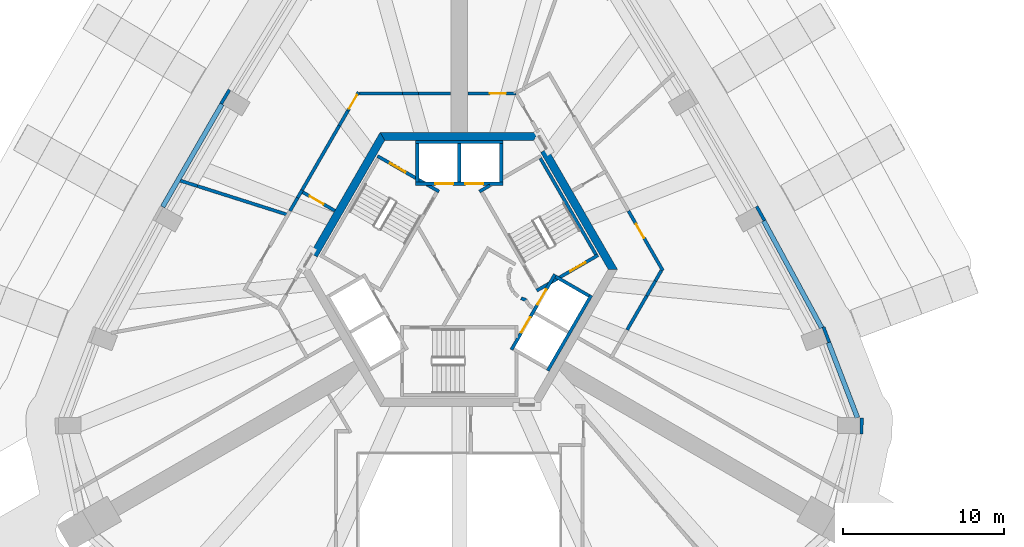
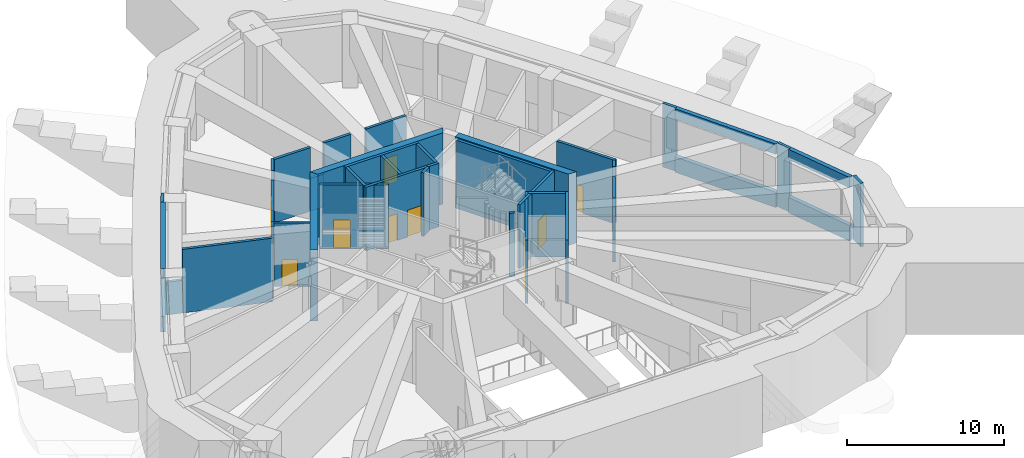
# One storey, part 6 of 15: 42 walls, 10 doors, 10 openings.
"""IFC4 building model written with IfcOpenShell, lengths in metres."""

from ifc_helpers import new_model, si_unit, direction, frame, frame_2d, origin, place, context, subcontext, project, spatial, polyline, rectangle, outline, extrude, material, layer, layer_set, type_object, element, fill, save


model = new_model("IFC4")

# Units and contexts
model_context = context("Model", 3, precision=1e-05, world=origin(), true_north=direction((0.0, 1.0)))
body_context = subcontext(model_context, "Body", "Model", "MODEL_VIEW")
ifc_project = project(units=[si_unit("LENGTHUNIT", "METRE"), si_unit("AREAUNIT", "SQUARE_METRE"), si_unit("VOLUMEUNIT", "CUBIC_METRE"), si_unit("PLANEANGLEUNIT", "RADIAN"), si_unit("MASSUNIT", "GRAM", prefix="KILO")], contexts=[model_context])

# Site, building, storey
site_placement = place(None, origin())
site = spatial("IfcSite", under=ifc_project, at=site_placement, CompositionType="ELEMENT")
building_placement = place(site_placement, origin())
building = spatial("IfcBuilding", under=site, at=building_placement, Name="Entoto Arch Interchange Tower", CompositionType="ELEMENT")
storey_placement = place(building_placement, frame((0.0, 0.0, 326.0)))
storey = spatial("IfcBuildingStorey", under=building, at=storey_placement, Name="L77", CompositionType="ELEMENT", Elevation=326.0)

# Walls
ifc_material_1 = material(Name="Concrete C40/50", Category="concrete")
ifc_layer_1 = layer(ifc_material_1, 0.5)
ifc_layer_set_1 = layer_set([ifc_layer_1], Name="Concrete C40/50")
wall_type_1 = type_object("IfcWallType", Name="Core wall 500 C40/50", PredefinedType="SHEAR", material=ifc_layer_set_1)
wall_1_placement = place(storey_placement, frame((0.0, 0.0, -0.60009765625)))
element("IfcWall", 1, at=wall_1_placement, inside=storey, type_object=wall_type_1, Name="Core wall NE L77", PredefinedType="SHEAR", context=body_context, shape_type="SweptSolid", body=[
    extrude(outline(polyline([(5.486083984375, 9.998046875), (5.052978515625, 9.748046875), (9.238037109375, 2.5), (9.81494140625, 2.5), (5.486083984375, 9.998046875)])), origin(), (0.0, 0.0, 1.0), 5.550048828125),
])
wall_2_placement = place(storey_placement, frame((0.0, 0.0, -0.60009765625)))
element("IfcWall", 2, at=wall_2_placement, inside=storey, type_object=wall_type_1, Name="Core wall N L77", PredefinedType="SHEAR", context=body_context, shape_type="SweptSolid", body=[
    extrude(outline(polyline([(4.906982421875, 11.0), (-4.906982421875, 11.0), (-4.618896484375, 10.5), (4.618896484375, 10.5), (4.906982421875, 11.0)])), origin(), (0.0, 0.0, 1.0), 5.550048828125),
])
wall_3_placement = place(storey_placement, frame((0.0, 0.0, -0.60009765625)))
element("IfcWall", 3, at=wall_3_placement, inside=storey, type_object=wall_type_1, Name="Core wall NW L77", PredefinedType="SHEAR", context=body_context, shape_type="SweptSolid", body=[
    extrude(outline(polyline([(-9.236083984375, 3.501953125), (-8.802978515625, 3.2529296875), (-4.618896484375, 10.5), (-4.906982421875, 11.0), (-9.236083984375, 3.501953125)])), origin(), (0.0, 0.0, 1.0), 5.550048828125),
])

# Wall, openings, doors
ifc_layer_2 = layer(ifc_material_1, 0.199951171875)
ifc_layer_set_2 = layer_set([ifc_layer_2], Name="Concrete C40/50")
wall_type_2 = type_object("IfcWallType", Name="LIFT SHAFT WALL 200", PredefinedType="STANDARD", material=ifc_layer_set_2)
wall_4_placement = place(storey_placement, frame((2.699951171875, 7.800048828125, 0.0), z_axis=(0.0, 0.0, 1.0), x_axis=(-1.0, 0.0, 0.0)))
wall_4 = element("IfcWall", 4, at=wall_4_placement, inside=storey, type_object=wall_type_2, Name="Shaft wall N1 front", PredefinedType="STANDARD", context=body_context, shape_type="SweptSolid", body=[
    extrude(rectangle(XDim=5.39990234375, YDim=0.199951171875, at=frame_2d((2.699951171875, 0.0))), origin(), (0.0, 0.0, 1.0), 4.949951171875),
])
opening_1_placement = place(wall_4_placement, frame((1.22509765625, 0.0, 0.0)))
opening_1 = element("IfcOpeningElement", 5, at=opening_1_placement, cuts=wall_4, Name="Opening LD-HR1-L77", PredefinedType="OPENING", context=body_context, shape_type="SweptSolid", body=[
    extrude(rectangle(XDim=1.10009765625, YDim=2.10009765625, at=frame_2d((0.550048828125, 1.050048828125))), frame((0.0, 0.10986328125, 0.0), z_axis=(0.0, -1.0, 0.0), x_axis=(1.0, 0.0, 0.0)), (0.0, 0.0, 1.0), 0.219970703125),
])
opening_2_placement = place(wall_4_placement, frame((3.074951171875, 0.0, 0.0)))
opening_2 = element("IfcOpeningElement", 6, at=opening_2_placement, cuts=wall_4, Name="Opening LD-HR2-L77", PredefinedType="OPENING", context=body_context, shape_type="SweptSolid", body=[
    extrude(rectangle(XDim=1.10009765625, YDim=2.10009765625, at=frame_2d((0.550048828125, 1.050048828125))), frame((0.0, 0.10986328125, 0.0), z_axis=(0.0, -1.0, 0.0), x_axis=(1.0, 0.0, 0.0)), (0.0, 0.0, 1.0), 0.219970703125),
])
ifc_material_2 = material(Name="Stainless steel 1.4301 panels", Category="steel")
door_type_1 = type_object("IfcDoorType", Name="LIFT LANDING DOOR LD1 1100x2100", OperationType="SLIDING_TO_LEFT", PredefinedType="DOOR", material=ifc_material_2)
door_1_placement = place(opening_1_placement, origin())
door_1 = element("IfcDoor", 7, at=door_1_placement, inside=storey, type_object=door_type_1, Name="Lift landing door HR1 L77", OperationType="SLIDING_TO_LEFT", OverallHeight=2.10009765625, OverallWidth=1.10009765625, PredefinedType="DOOR", context=body_context, shape_type="SweptSolid", body=[
    extrude(rectangle(XDim=1.10009765625, YDim=2.10009765625, at=frame_2d((0.550048828125, 1.050048828125))), frame((0.0, 0.02490234375, 0.0), z_axis=(0.0, -1.0, 0.0), x_axis=(1.0, 0.0, 0.0)), (0.0, 0.0, 1.0), 0.050048828125),
])
fill(opening_1, door_1)
door_2_placement = place(opening_2_placement, origin())
door_2 = element("IfcDoor", 8, at=door_2_placement, inside=storey, type_object=door_type_1, Name="Lift landing door HR2 L77", OperationType="SLIDING_TO_LEFT", OverallHeight=2.10009765625, OverallWidth=1.10009765625, PredefinedType="DOOR", context=body_context, shape_type="SweptSolid", body=[
    extrude(rectangle(XDim=1.10009765625, YDim=2.10009765625, at=frame_2d((0.550048828125, 1.050048828125))), frame((0.0, 0.02490234375, 0.0), z_axis=(0.0, -1.0, 0.0), x_axis=(1.0, 0.0, 0.0)), (0.0, 0.0, 1.0), 0.050048828125),
])
fill(opening_2, door_2)

# Walls
wall_5_placement = place(storey_placement, frame((2.699951171875, 10.39990234375, 0.0), z_axis=(0.0, 0.0, 1.0), x_axis=(-1.0, 0.0, 0.0)))
element("IfcWall", 9, at=wall_5_placement, inside=storey, type_object=wall_type_2, Name="Shaft wall N1 back", PredefinedType="STANDARD", context=body_context, shape_type="SweptSolid", body=[
    extrude(rectangle(XDim=5.39990234375, YDim=0.199951171875, at=frame_2d((2.699951171875, 0.0))), origin(), (0.0, 0.0, 1.0), 4.949951171875),
])
for number, where, z_axis, x_axis, name in (
    (10, (2.60009765625, 7.89990234375, 0.0), (0.0, 0.0, 1.0), (0.0, 1.0, 0.0), "Shaft wall N1 cross 1"),
    (11, (0.0, 7.89990234375, 0.0), (0.0, 0.0, 1.0), (0.0, 1.0, 0.0), "Shaft wall N1 cross 2"),
    (12, (-2.60009765625, 7.89990234375, 0.0), (0.0, 0.0, 1.0), (0.0, 1.0, 0.0), "Shaft wall N1 cross 3"),
):
    element("IfcWall", number, at=place(storey_placement, frame(where, z_axis=z_axis, x_axis=x_axis)), inside=storey, type_object=wall_type_2, Name=name, PredefinedType="STANDARD", context=body_context, shape_type="SweptSolid", body=[
        extrude(rectangle(XDim=2.400146484375, YDim=0.199951171875, at=frame_2d((1.2001953125, 0.0))), origin(), (0.0, 0.0, 1.0), 4.949951171875),
    ])

# Wall, openings, doors
wall_6_placement = place(storey_placement, frame((3.239990234375, -2.488037109375, 0.0), z_axis=(0.0, 0.0, 1.0), x_axis=(0.500034260056, 0.866005622828, 0.0)))
wall_6 = element("IfcWall", 13, at=wall_6_placement, inside=storey, type_object=wall_type_2, Name="Shaft wall SE1 front", PredefinedType="STANDARD", context=body_context, shape_type="SweptSolid", body=[
    extrude(rectangle(XDim=5.3994140625, YDim=0.199951171875, at=frame_2d((2.69970703125, 0.0))), origin(), (0.0, 0.0, 1.0), 4.949951171875),
])
opening_3_placement = place(wall_6_placement, frame((3.22509765625, 0.0, 0.0)))
opening_3 = element("IfcOpeningElement", 14, at=opening_3_placement, cuts=wall_6, Name="Opening LD-HR3-L77", PredefinedType="OPENING", context=body_context, shape_type="SweptSolid", body=[
    extrude(rectangle(XDim=1.10009765625, YDim=2.10009765625, at=frame_2d((0.550048828125, 1.050048828125))), frame((0.0, 0.10986328125, 0.0), z_axis=(0.0, -1.0, 0.0), x_axis=(1.0, 0.0, 0.0)), (0.0, 0.0, 1.0), 0.219970703125),
])
opening_4_placement = place(wall_6_placement, frame((1.22509765625, 0.0, 0.0)))
opening_4 = element("IfcOpeningElement", 15, at=opening_4_placement, cuts=wall_6, Name="Opening LD-FF1-L77", PredefinedType="OPENING", context=body_context, shape_type="SweptSolid", body=[
    extrude(rectangle(XDim=1.10009765625, YDim=2.10009765625, at=frame_2d((0.550048828125, 1.050048828125))), frame((0.0, 0.10986328125, 0.0), z_axis=(0.0, -1.0, 0.0), x_axis=(1.0, 0.0, 0.0)), (0.0, 0.0, 1.0), 0.219970703125),
])
door_3_placement = place(opening_3_placement, origin())
door_3 = element("IfcDoor", 16, at=door_3_placement, inside=storey, type_object=door_type_1, Name="Lift landing door HR3 L77", OperationType="SLIDING_TO_LEFT", OverallHeight=2.10009765625, OverallWidth=1.10009765625, PredefinedType="DOOR", context=body_context, shape_type="SweptSolid", body=[
    extrude(rectangle(XDim=1.10009765625, YDim=2.10009765625, at=frame_2d((0.550048828125, 1.050048828125))), frame((0.0, 0.02490234375, 0.0), z_axis=(0.0, -1.0, 0.0), x_axis=(1.0, 0.0, 0.0)), (0.0, 0.0, 1.0), 0.050048828125),
])
fill(opening_3, door_3)
door_4_placement = place(opening_4_placement, origin())
door_4 = element("IfcDoor", 17, at=door_4_placement, inside=storey, type_object=door_type_1, Name="Lift landing door FF1 L77", OperationType="SLIDING_TO_LEFT", OverallHeight=2.10009765625, OverallWidth=1.10009765625, PredefinedType="DOOR", context=body_context, shape_type="SweptSolid", body=[
    extrude(rectangle(XDim=1.10009765625, YDim=2.10009765625, at=frame_2d((0.550048828125, 1.050048828125))), frame((0.0, 0.02490234375, 0.0), z_axis=(0.0, -1.0, 0.0), x_axis=(1.0, 0.0, 0.0)), (0.0, 0.0, 1.0), 0.050048828125),
])
fill(opening_4, door_4)

# Walls
wall_7_placement = place(storey_placement, frame((5.491943359375, -3.7880859375, 0.0), z_axis=(0.0, 0.0, 1.0), x_axis=(0.500034260056, 0.866005622828, 0.0)))
element("IfcWall", 18, at=wall_7_placement, inside=storey, type_object=wall_type_2, Name="Shaft wall SE1 back", PredefinedType="STANDARD", context=body_context, shape_type="SweptSolid", body=[
    extrude(rectangle(XDim=5.3994140625, YDim=0.199951171875, at=frame_2d((2.69970703125, 0.0))), origin(), (0.0, 0.0, 1.0), 4.949951171875),
])
wall_8_placement = place(storey_placement, frame((5.97705078125, 2.052001953125, 0.0), z_axis=(0.0, 0.0, 1.0), x_axis=(0.865973769406, -0.500089422704, 0.0)))
element("IfcWall", 19, at=wall_8_placement, inside=storey, type_object=wall_type_2, Name="Shaft wall SE1 cross 3", PredefinedType="STANDARD", context=body_context, shape_type="SweptSolid", body=[
    extrude(rectangle(XDim=2.3994140625, YDim=0.199951171875, at=frame_2d((1.19970703125, 0.0))), origin(), (0.0, 0.0, 1.0), 4.949951171875),
])
ifc_material_3 = material(Name="Gypsum board partition on steel studs", Category="steel")
ifc_layer_3 = layer(ifc_material_3, 0.199951171875)
ifc_layer_set_3 = layer_set([ifc_layer_3], Name="Gypsum board partition on steel studs")
wall_type_3 = type_object("IfcWallType", Name="PARTITION 200", PredefinedType="PARTITIONING", material=ifc_layer_set_3)
wall_9_placement = place(storey_placement, frame((3.837890625, 0.701904296875, 0.0), z_axis=(0.0, 0.0, 1.0), x_axis=(0.941035081519, -0.338308993895, 0.0)))
element("IfcWall", 20, at=wall_9_placement, inside=storey, type_object=wall_type_3, Name="wall:L77:p008", PredefinedType="PARTITIONING", context=body_context, shape_type="SweptSolid", body=[
    extrude(rectangle(XDim=0.3369140625, YDim=0.199951171875, at=frame_2d((0.16845703125, 0.0))), origin(), (0.0, 0.0, 1.0), 4.949951171875),
])
wall_10_placement = place(storey_placement, frame((12.535888671875, 2.4130859375, 0.0), z_axis=(0.0, 0.0, 1.0), x_axis=(-0.500060245112, -0.865990618459, 0.0)))
element("IfcWall", 21, at=wall_10_placement, inside=storey, type_object=wall_type_3, Name="wall:L77:p033", PredefinedType="PARTITIONING", context=body_context, shape_type="SweptSolid", body=[
    extrude(rectangle(XDim=0.72998046875, YDim=0.199951171875, at=frame_2d((0.364990234375, 0.0))), origin(), (0.0, 0.0, 1.0), 4.949951171875),
])

# Wall, opening, door
wall_11_placement = place(storey_placement, frame((0.550048828125, 13.39990234375, 0.0), z_axis=(0.0, 0.0, 1.0), x_axis=(1.0, 0.0, 0.0)))
wall_11 = element("IfcWall", 22, at=wall_11_placement, inside=storey, type_object=wall_type_3, Name="wall:L77:p034", PredefinedType="PARTITIONING", context=body_context, shape_type="SweptSolid", body=[
    extrude(rectangle(XDim=2.970947265625, YDim=0.199951171875, at=frame_2d((1.4853515625, 0.0))), origin(), (0.0, 0.0, 1.0), 4.949951171875),
])
opening_5_placement = place(wall_11_placement, frame((1.35009765625, 0.0, 0.0)))
opening_5 = element("IfcOpeningElement", 23, at=opening_5_placement, cuts=wall_11, Name="Opening L77-D09", PredefinedType="OPENING", context=body_context, shape_type="SweptSolid", body=[
    extrude(rectangle(XDim=1.0, YDim=2.10009765625, at=frame_2d((0.5, 1.050048828125))), frame((0.0, 0.10986328125, 0.0), z_axis=(0.0, -1.0, 0.0), x_axis=(1.0, 0.0, 0.0)), (0.0, 0.0, 1.0), 0.219970703125),
])
ifc_material_4 = material(Name="Fire-rated Steel S235 door and frame", Category="steel")
door_type_2 = type_object("IfcDoorType", Name="DOOR FD-10 1000x2100", OperationType="SINGLE_SWING_LEFT", PredefinedType="DOOR", material=ifc_material_4)
door_5_placement = place(opening_5_placement, origin())
door_5 = element("IfcDoor", 24, at=door_5_placement, inside=storey, type_object=door_type_2, Name="door:L77:09", OperationType="SINGLE_SWING_LEFT", OverallHeight=2.10009765625, OverallWidth=1.0, PredefinedType="DOOR", context=body_context, shape_type="SweptSolid", body=[
    extrude(rectangle(XDim=1.0, YDim=2.10009765625, at=frame_2d((0.5, 1.050048828125))), frame((0.0, 0.02490234375, 0.0), z_axis=(0.0, -1.0, 0.0), x_axis=(1.0, 0.0, 0.0)), (0.0, 0.0, 1.0), 0.050048828125),
])
fill(opening_5, door_5)

wall_12_placement = place(storey_placement, frame((-9.7958984375, 7.33203125, 0.0), z_axis=(0.0, 0.0, 1.0), x_axis=(0.865973769406, -0.500089422704, 0.0)))
wall_12 = element("IfcWall", 25, at=wall_12_placement, inside=storey, type_object=wall_type_3, Name="wall:L77:p038", PredefinedType="PARTITIONING", context=body_context, shape_type="SweptSolid", body=[
    extrude(rectangle(XDim=2.3994140625, YDim=0.199951171875, at=frame_2d((1.19970703125, 0.0))), origin(), (0.0, 0.0, 1.0), 4.949951171875),
])
opening_6_placement = place(wall_12_placement, frame((0.60009765625, 0.0, 0.0)))
opening_6 = element("IfcOpeningElement", 26, at=opening_6_placement, cuts=wall_12, Name="Opening L77-D10", PredefinedType="OPENING", context=body_context, shape_type="SweptSolid", body=[
    extrude(rectangle(XDim=1.0, YDim=2.10009765625, at=frame_2d((0.5, 1.050048828125))), frame((0.0, 0.10986328125, 0.0), z_axis=(0.0, -1.0, 0.0), x_axis=(1.0, 0.0, 0.0)), (0.0, 0.0, 1.0), 0.219970703125),
])
door_6_placement = place(opening_6_placement, origin())
door_6 = element("IfcDoor", 27, at=door_6_placement, inside=storey, type_object=door_type_2, Name="door:L77:10", OperationType="SINGLE_SWING_LEFT", OverallHeight=2.10009765625, OverallWidth=1.0, PredefinedType="DOOR", context=body_context, shape_type="SweptSolid", body=[
    extrude(rectangle(XDim=1.0, YDim=2.10009765625, at=frame_2d((0.5, 1.050048828125))), frame((0.0, 0.02490234375, 0.0), z_axis=(0.0, -1.0, 0.0), x_axis=(1.0, 0.0, 0.0)), (0.0, 0.0, 1.0), 0.050048828125),
])
fill(opening_6, door_6)

wall_13_placement = place(storey_placement, frame((-6.242919921875, 13.487060546875, 0.0), z_axis=(0.0, 0.0, 1.0), x_axis=(-0.500026415507, -0.866010152247, 0.0)))
wall_13 = element("IfcWall", 28, at=wall_13_placement, inside=storey, type_object=wall_type_3, Name="wall:L77:p043", PredefinedType="PARTITIONING", context=body_context, shape_type="SweptSolid", body=[
    extrude(rectangle(XDim=1.34423828125, YDim=0.199951171875, at=frame_2d((0.672119140625, 0.0))), origin(), (0.0, 0.0, 1.0), 4.949951171875),
])
opening_7_placement = place(wall_13_placement, frame((0.18701171875, 0.0, 0.0)))
opening_7 = element("IfcOpeningElement", 29, at=opening_7_placement, cuts=wall_13, Name="Opening L77-D13", PredefinedType="OPENING", context=body_context, shape_type="SweptSolid", body=[
    extrude(rectangle(XDim=1.0, YDim=2.10009765625, at=frame_2d((0.5, 1.050048828125))), frame((0.0, 0.10986328125, 0.0), z_axis=(0.0, -1.0, 0.0), x_axis=(1.0, 0.0, 0.0)), (0.0, 0.0, 1.0), 0.219970703125),
])
door_7_placement = place(opening_7_placement, origin())
door_7 = element("IfcDoor", 30, at=door_7_placement, inside=storey, type_object=door_type_2, Name="door:L77:13", OperationType="SINGLE_SWING_RIGHT", OverallHeight=2.10009765625, OverallWidth=1.0, PredefinedType="DOOR", context=body_context, shape_type="SweptSolid", body=[
    extrude(rectangle(XDim=1.0, YDim=2.10009765625, at=frame_2d((0.5, 1.050048828125))), frame((0.0, 0.02490234375, 0.0), z_axis=(0.0, -1.0, 0.0), x_axis=(1.0, 0.0, 0.0)), (0.0, 0.0, 1.0), 0.050048828125),
])
fill(opening_7, door_7)

# Walls
wall_14_placement = place(storey_placement, frame((-6.193115234375, 13.39990234375, 0.0), z_axis=(0.0, 0.0, 1.0), x_axis=(1.0, 0.0, 0.0)))
element("IfcWall", 31, at=wall_14_placement, inside=storey, type_object=wall_type_3, Name="wall:L77:p044", PredefinedType="PARTITIONING", context=body_context, shape_type="SweptSolid", body=[
    extrude(rectangle(XDim=2.670166015625, YDim=0.199951171875, at=frame_2d((1.3349609375, 0.0))), origin(), (0.0, 0.0, 1.0), 4.949951171875),
])
wall_15_placement = place(storey_placement, frame((-17.2900390625, 7.9951171875, 0.0), z_axis=(0.0, 0.0, 1.0), x_axis=(0.953042685806, -0.302835993621, 0.0)))
element("IfcWall", 32, at=wall_15_placement, inside=storey, type_object=wall_type_3, Name="wall:L77:p046", PredefinedType="PARTITIONING", context=body_context, shape_type="SweptSolid", body=[
    extrude(rectangle(XDim=1.096435546875, YDim=0.199951171875, at=frame_2d((0.54833984375, 0.0))), origin(), (0.0, 0.0, 1.0), 2.550048828125),
])

# Wall, opening, door
wall_16_placement = place(storey_placement, frame((10.4970703125, 6.118896484375, 0.0), z_axis=(0.0, 0.0, 1.0), x_axis=(0.499888743268, -0.866089628361, 0.0)))
wall_16 = element("IfcWall", 33, at=wall_16_placement, inside=storey, type_object=wall_type_3, Name="wall:L77:p032", PredefinedType="PARTITIONING", context=body_context, shape_type="SweptSolid", body=[
    extrude(rectangle(XDim=4.27880859375, YDim=0.199951171875, at=frame_2d((2.139404296875, 0.0))), origin(), (0.0, 0.0, 1.0), 4.949951171875),
])
opening_8_placement = place(wall_16_placement, frame((0.94091796875, 0.0, 0.0)))
opening_8 = element("IfcOpeningElement", 34, at=opening_8_placement, cuts=wall_16, Name="Opening L77-D08", PredefinedType="OPENING", context=body_context, shape_type="SweptSolid", body=[
    extrude(rectangle(XDim=1.0, YDim=2.10009765625, at=frame_2d((0.5, 1.050048828125))), frame((0.0, 0.10986328125, 0.0), z_axis=(0.0, -1.0, 0.0), x_axis=(1.0, 0.0, 0.0)), (0.0, 0.0, 1.0), 0.219970703125),
])
door_8_placement = place(opening_8_placement, origin())
door_8 = element("IfcDoor", 35, at=door_8_placement, inside=storey, type_object=door_type_2, Name="door:L77:08", OperationType="SINGLE_SWING_RIGHT", OverallHeight=2.10009765625, OverallWidth=1.0, PredefinedType="DOOR", context=body_context, shape_type="SweptSolid", body=[
    extrude(rectangle(XDim=1.0, YDim=2.10009765625, at=frame_2d((0.5, 1.050048828125))), frame((0.0, 0.02490234375, 0.0), z_axis=(0.0, -1.0, 0.0), x_axis=(1.0, 0.0, 0.0)), (0.0, 0.0, 1.0), 0.050048828125),
])
fill(opening_8, door_8)

# Walls
wall_17_placement = place(storey_placement, frame((12.1708984375, 1.781005859375, 0.0), z_axis=(0.0, 0.0, 1.0), x_axis=(-0.499670186534, -0.86621573796, 0.0)))
element("IfcWall", 36, at=wall_17_placement, inside=storey, type_object=wall_type_3, Name="wall:L77:p033", PredefinedType="PARTITIONING", context=body_context, shape_type="SweptSolid", body=[
    extrude(rectangle(XDim=1.078369140625, YDim=0.199951171875, at=frame_2d((0.5390625, 0.0))), origin(), (0.0, 0.0, 1.0), 2.550048828125),
])
wall_18_placement = place(storey_placement, frame((11.632080078125, 0.846923828125, 0.0), z_axis=(0.0, 0.0, 1.0), x_axis=(-0.500105155565, -0.865964683678, 0.0)))
element("IfcWall", 37, at=wall_18_placement, inside=storey, type_object=wall_type_3, Name="wall:L77:p033", PredefinedType="PARTITIONING", context=body_context, shape_type="SweptSolid", body=[
    extrude(rectangle(XDim=2.4296875, YDim=0.199951171875, at=frame_2d((1.21484375, 0.0))), origin(), (0.0, 0.0, 1.0), 4.949951171875),
])
wall_19_placement = place(storey_placement, frame((-10.4970703125, 6.118896484375, 0.0), z_axis=(0.0, 0.0, 1.0), x_axis=(0.499909789979, 0.8660774803, 0.0)))
element("IfcWall", 38, at=wall_19_placement, inside=storey, type_object=wall_type_3, Name="wall:L77:p041", PredefinedType="PARTITIONING", context=body_context, shape_type="SweptSolid", body=[
    extrude(rectangle(XDim=0.940185546875, YDim=0.199951171875, at=frame_2d((0.47021484375, 0.0))), origin(), (0.0, 0.0, 1.0), 2.550048828125),
])
wall_20_placement = place(storey_placement, frame((-10.027099609375, 6.93310546875, 0.0), z_axis=(0.0, 0.0, 1.0), x_axis=(0.500676140182, 0.865634681983, 0.0)))
element("IfcWall", 39, at=wall_20_placement, inside=storey, type_object=wall_type_3, Name="wall:L77:p041", PredefinedType="PARTITIONING", context=body_context, shape_type="SweptSolid", body=[
    extrude(rectangle(XDim=0.561279296875, YDim=0.199951171875, at=frame_2d((0.28076171875, 0.0))), origin(), (0.0, 0.0, 1.0), 4.949951171875),
])
wall_21_placement = place(storey_placement, frame((-6.9150390625, 12.322998046875, 0.0), z_axis=(0.0, 0.0, 1.0), x_axis=(-0.500135319504, -0.865947262935, 0.0)))
element("IfcWall", 40, at=wall_21_placement, inside=storey, type_object=wall_type_3, Name="wall:L77:p043", PredefinedType="PARTITIONING", context=body_context, shape_type="SweptSolid", body=[
    extrude(rectangle(XDim=1.057861328125, YDim=0.199951171875, at=frame_2d((0.52880859375, 0.0))), origin(), (0.0, 0.0, 1.0), 2.550048828125),
])
wall_22_placement = place(storey_placement, frame((-7.444091796875, 11.406982421875, 0.0), z_axis=(0.0, 0.0, 1.0), x_axis=(-0.499919806806, -0.866071698396, 0.0)))
element("IfcWall", 41, at=wall_22_placement, inside=storey, type_object=wall_type_3, Name="wall:L77:p043", PredefinedType="PARTITIONING", context=body_context, shape_type="SweptSolid", body=[
    extrude(rectangle(XDim=4.604736328125, YDim=0.199951171875, at=frame_2d((2.30224609375, 0.0))), origin(), (0.0, 0.0, 1.0), 4.949951171875),
])
wall_23_placement = place(storey_placement, frame((-3.52294921875, 13.39990234375, 0.0), z_axis=(0.0, 0.0, 1.0), x_axis=(1.0, 0.0, 0.0)))
element("IfcWall", 42, at=wall_23_placement, inside=storey, type_object=wall_type_3, Name="wall:L77:p044", PredefinedType="PARTITIONING", context=body_context, shape_type="SweptSolid", body=[
    extrude(rectangle(XDim=0.989990234375, YDim=0.199951171875, at=frame_2d((0.4951171875, 0.0))), origin(), (0.0, 0.0, 1.0), 2.550048828125),
])
wall_24_placement = place(storey_placement, frame((-2.532958984375, 13.39990234375, 0.0), z_axis=(0.0, 0.0, 1.0), x_axis=(1.0, 0.0, 0.0)))
element("IfcWall", 43, at=wall_24_placement, inside=storey, type_object=wall_type_3, Name="wall:L77:p044", PredefinedType="PARTITIONING", context=body_context, shape_type="SweptSolid", body=[
    extrude(rectangle(XDim=1.98291015625, YDim=0.199951171875, at=frame_2d((0.991455078125, 0.0))), origin(), (0.0, 0.0, 1.0), 4.949951171875),
])
wall_25_placement = place(storey_placement, frame((-16.2451171875, 7.6630859375, 0.0), z_axis=(0.0, 0.0, 1.0), x_axis=(0.953015609999, -0.302921189583, 0.0)))
element("IfcWall", 44, at=wall_25_placement, inside=storey, type_object=wall_type_3, Name="wall:L77:p046", PredefinedType="PARTITIONING", context=body_context, shape_type="SweptSolid", body=[
    extrude(rectangle(XDim=5.88671875, YDim=0.199951171875, at=frame_2d((2.943359375, 0.0))), origin(), (0.0, 0.0, 1.0), 4.949951171875),
])
ifc_material_5 = material(Name="Board-marked precast concrete C50/60", Category="concrete")
ifc_layer_4 = layer(ifc_material_5, 0.199951171875)
ifc_layer_set_4 = layer_set([ifc_layer_4], Name="Board-marked precast concrete C50/60")
wall_type_4 = type_object("IfcWallType", Name="PRECAST FRAME WALL 200", PredefinedType="STANDARD", material=ifc_layer_set_4)
wall_26_placement = place(storey_placement, frame((22.951904296875, -2.028076171875, 0.0), z_axis=(0.0, 0.0, 1.0), x_axis=(-0.350962844851, 0.936389385637, 0.0)))
element("IfcWall", 45, at=wall_26_placement, inside=storey, type_object=wall_type_4, Name="Frame pier NE01 L77", PredefinedType="STANDARD", context=body_context, shape_type="SweptSolid", body=[
    extrude(rectangle(XDim=0.99951171875, YDim=0.199951171875, at=frame_2d((0.499755859375, 0.0))), origin(), (0.0, 0.0, 1.0), 4.949951171875),
])
wall_27_placement = place(storey_placement, frame((18.93603515625, 5.530029296875, 0.0), z_axis=(0.0, 0.0, 1.0), x_axis=(-0.486036693078, 0.873938403425, 0.0)))
element("IfcWall", 46, at=wall_27_placement, inside=storey, type_object=wall_type_4, Name="Frame pier NE02 L77", PredefinedType="STANDARD", context=body_context, shape_type="SweptSolid", body=[
    extrude(rectangle(XDim=1.0, YDim=0.199951171875, at=frame_2d((0.5, 0.0))), origin(), (0.0, 0.0, 1.0), 4.949951171875),
])
wall_28_placement = place(storey_placement, frame((-14.257080078125, 13.634033203125, 0.0), z_axis=(0.0, 0.0, 1.0), x_axis=(-0.513777707721, -0.857923345672, 0.0)))
element("IfcWall", 47, at=wall_28_placement, inside=storey, type_object=wall_type_4, Name="Frame pier NW02 L77", PredefinedType="STANDARD", context=body_context, shape_type="SweptSolid", body=[
    extrude(rectangle(XDim=1.000244140625, YDim=0.199951171875, at=frame_2d((0.5, 0.0))), origin(), (0.0, 0.0, 1.0), 4.949951171875),
])
wall_29_placement = place(storey_placement, frame((24.951904296875, -7.712890625, 0.0), z_axis=(0.0, 0.0, 1.0), x_axis=(0.024192379573, 0.999707321555, 0.0)))
element("IfcWall", 48, at=wall_29_placement, inside=storey, type_object=wall_type_4, Name="Frame pier SE3 L77", PredefinedType="STANDARD", context=body_context, shape_type="SweptSolid", body=[
    extrude(rectangle(XDim=0.9990234375, YDim=0.199951171875, at=frame_2d((0.49951171875, 0.0))), origin(), (0.0, 0.0, 1.0), 4.949951171875),
])
ifc_layer_5 = layer(ifc_material_5, 0.300048828125)
ifc_layer_set_5 = layer_set([ifc_layer_5], Name="Board-marked precast concrete C50/60")
wall_type_5 = type_object("IfcWallType", Name="PRECAST FRAME WALL 300", PredefinedType="STANDARD", material=ifc_layer_set_5)
wall_30_placement = place(storey_placement, frame((24.70703125, -6.7080078125, 0.0), z_axis=(0.0, 0.0, 1.0), x_axis=(-0.35964980127, 0.933087359493, 0.0)))
element("IfcWall", 49, at=wall_30_placement, inside=storey, type_object=wall_type_5, Name="Frame sill wall SE-04 L77", PredefinedType="STANDARD", context=body_context, shape_type="SweptSolid", body=[
    extrude(rectangle(XDim=4.99951171875, YDim=0.300048828125, at=frame_2d((2.499755859375, 0.0))), origin(), (0.0, 0.0, 1.0), 1.199951171875),
])
wall_31_placement = place(storey_placement, frame((24.70703125, -6.7080078125, 4.14990234375), z_axis=(0.0, 0.0, 1.0), x_axis=(-0.35964980127, 0.933087359493, 0.0)))
element("IfcWall", 50, at=wall_31_placement, inside=storey, type_object=wall_type_5, Name="Frame head wall SE-04 L77", PredefinedType="STANDARD", context=body_context, shape_type="SweptSolid", body=[
    extrude(rectangle(XDim=4.99951171875, YDim=0.300048828125, at=frame_2d((2.499755859375, 0.0))), origin(), (0.0, 0.0, 1.0), 0.800048828125),
])
wall_32_placement = place(storey_placement, frame((22.488037109375, -1.135009765625, 0.0), z_axis=(0.0, 0.0, 1.0), x_axis=(-0.476794367741, 0.879014863862, 0.0)))
element("IfcWall", 51, at=wall_32_placement, inside=storey, type_object=wall_type_5, Name="Frame sill wall NE-01 L77", PredefinedType="STANDARD", context=body_context, shape_type="SweptSolid", body=[
    extrude(rectangle(XDim=7.552734375, YDim=0.300048828125, at=frame_2d((3.7763671875, 0.0))), origin(), (0.0, 0.0, 1.0), 1.199951171875),
])
wall_33_placement = place(storey_placement, frame((22.488037109375, -1.135009765625, 4.14990234375), z_axis=(0.0, 0.0, 1.0), x_axis=(-0.476794367741, 0.879014863862, 0.0)))
element("IfcWall", 52, at=wall_33_placement, inside=storey, type_object=wall_type_5, Name="Frame head wall NE-01 L77", PredefinedType="STANDARD", context=body_context, shape_type="SweptSolid", body=[
    extrude(rectangle(XDim=7.552734375, YDim=0.300048828125, at=frame_2d((3.7763671875, 0.0))), origin(), (0.0, 0.0, 1.0), 0.800048828125),
])
wall_34_placement = place(storey_placement, frame((-14.720947265625, 12.7470703125, 0.0), z_axis=(0.0, 0.0, 1.0), x_axis=(-0.499904379019, -0.866080603545, 0.0)))
element("IfcWall", 53, at=wall_34_placement, inside=storey, type_object=wall_type_5, Name="Frame sill wall NW-02 L77", PredefinedType="STANDARD", context=body_context, shape_type="SweptSolid", body=[
    extrude(rectangle(XDim=7.357421875, YDim=0.300048828125, at=frame_2d((3.6787109375, 0.0))), origin(), (0.0, 0.0, 1.0), 1.199951171875),
])
wall_35_placement = place(storey_placement, frame((-14.720947265625, 12.7470703125, 4.14990234375), z_axis=(0.0, 0.0, 1.0), x_axis=(-0.499904379019, -0.866080603545, 0.0)))
element("IfcWall", 54, at=wall_35_placement, inside=storey, type_object=wall_type_5, Name="Frame head wall NW-02 L77", PredefinedType="STANDARD", context=body_context, shape_type="SweptSolid", body=[
    extrude(rectangle(XDim=7.357421875, YDim=0.300048828125, at=frame_2d((3.6787109375, 0.0))), origin(), (0.0, 0.0, 1.0), 0.800048828125),
])

# Wall, opening, door
ifc_layer_6 = layer(ifc_material_1, 0.199951171875)
ifc_layer_set_6 = layer_set([ifc_layer_6], Name="Concrete C40/50")
wall_type_6 = type_object("IfcWallType", Name="STAIR ENCLOSURE WALL 200", PredefinedType="STANDARD", material=ifc_layer_set_6)
wall_36_placement = place(storey_placement, frame((4.805908203125, 1.176025390625, 0.0), z_axis=(0.0, 0.0, 1.0), x_axis=(0.866059941101, 0.499940174841, 0.0)))
wall_36 = element("IfcWall", 55, at=wall_36_placement, inside=storey, type_object=wall_type_6, Name="Stair wall ST-NE near", PredefinedType="STANDARD", context=body_context, shape_type="SweptSolid", body=[
    extrude(rectangle(XDim=4.400390625, YDim=0.199951171875, at=frame_2d((2.2001953125, 0.0))), origin(), (0.0, 0.0, 1.0), 4.949951171875),
])
opening_9_placement = place(wall_36_placement, frame((2.39990234375, 0.0, 0.0)))
opening_9 = element("IfcOpeningElement", 56, at=opening_9_placement, cuts=wall_36, Name="Opening SD-ST-NE-L77-E", PredefinedType="OPENING", context=body_context, shape_type="SweptSolid", body=[
    extrude(rectangle(XDim=1.10009765625, YDim=2.199951171875, at=frame_2d((0.550048828125, 1.10009765625))), frame((0.0, 0.10986328125, 0.0), z_axis=(0.0, -1.0, 0.0), x_axis=(1.0, 0.0, 0.0)), (0.0, 0.0, 1.0), 0.219970703125),
])
ifc_material_6 = material(Name="Steel S235", Category="steel")
door_type_3 = type_object("IfcDoorType", Name="STAIR DOOR SD1 1100x2200", OperationType="SINGLE_SWING_LEFT", PredefinedType="DOOR", material=ifc_material_6)
door_9_placement = place(opening_9_placement, origin())
door_9 = element("IfcDoor", 57, at=door_9_placement, inside=storey, type_object=door_type_3, Name="Stair door ST-NE L77 end", OperationType="SINGLE_SWING_LEFT", OverallHeight=2.199951171875, OverallWidth=1.10009765625, PredefinedType="DOOR", context=body_context, shape_type="SweptSolid", body=[
    extrude(rectangle(XDim=1.10009765625, YDim=2.199951171875, at=frame_2d((0.550048828125, 1.10009765625))), frame((0.0, 0.02490234375, 0.0), z_axis=(0.0, -1.0, 0.0), x_axis=(1.0, 0.0, 0.0)), (0.0, 0.0, 1.0), 0.050048828125),
])
fill(opening_9, door_9)

# Walls
wall_37_placement = place(storey_placement, frame((1.256103515625, 7.323974609375, 0.0), z_axis=(0.0, 0.0, 1.0), x_axis=(0.865915093549, 0.500191014278, 0.0)))
element("IfcWall", 58, at=wall_37_placement, inside=storey, type_object=wall_type_6, Name="Stair wall ST-NE far return", PredefinedType="STANDARD", context=body_context, shape_type="SweptSolid", body=[
    extrude(rectangle(XDim=0.751708984375, YDim=0.199951171875, at=frame_2d((0.3759765625, 0.0))), origin(), (0.0, 0.0, 1.0), 4.949951171875),
])
wall_38_placement = place(storey_placement, frame((8.47998046875, 3.412109375, 0.0), z_axis=(0.0, 0.0, 1.0), x_axis=(-0.499978703459, 0.866037698999, 0.0)))
element("IfcWall", 59, at=wall_38_placement, inside=storey, type_object=wall_type_6, Name="Stair wall ST-NE back", PredefinedType="STANDARD", context=body_context, shape_type="SweptSolid", body=[
    extrude(rectangle(XDim=6.900146484375, YDim=0.199951171875, at=frame_2d((3.4501953125, 0.0))), origin(), (0.0, 0.0, 1.0), 4.949951171875),
])

# Wall, opening, door
wall_39_placement = place(storey_placement, frame((-1.256103515625, 7.323974609375, 0.0), z_axis=(0.0, 0.0, 1.0), x_axis=(-0.866046073146, 0.499964197906, 0.0)))
wall_39 = element("IfcWall", 60, at=wall_39_placement, inside=storey, type_object=wall_type_6, Name="Stair wall ST-NW near", PredefinedType="STANDARD", context=body_context, shape_type="SweptSolid", body=[
    extrude(rectangle(XDim=4.400146484375, YDim=0.199951171875, at=frame_2d((2.2001953125, 0.0))), origin(), (0.0, 0.0, 1.0), 4.949951171875),
])
opening_10_placement = place(wall_39_placement, frame((2.39990234375, 0.0, 0.0)))
opening_10 = element("IfcOpeningElement", 61, at=opening_10_placement, cuts=wall_39, Name="Opening SD-ST-NW-L77-E", PredefinedType="OPENING", context=body_context, shape_type="SweptSolid", body=[
    extrude(rectangle(XDim=1.10009765625, YDim=2.199951171875, at=frame_2d((0.550048828125, 1.10009765625))), frame((0.0, 0.10986328125, 0.0), z_axis=(0.0, -1.0, 0.0), x_axis=(1.0, 0.0, 0.0)), (0.0, 0.0, 1.0), 0.219970703125),
])
door_10_placement = place(opening_10_placement, origin())
door_10 = element("IfcDoor", 62, at=door_10_placement, inside=storey, type_object=door_type_3, Name="Stair door ST-NW L77 end", OperationType="SINGLE_SWING_LEFT", OverallHeight=2.199951171875, OverallWidth=1.10009765625, PredefinedType="DOOR", context=body_context, shape_type="SweptSolid", body=[
    extrude(rectangle(XDim=1.10009765625, YDim=2.199951171875, at=frame_2d((0.550048828125, 1.10009765625))), frame((0.0, 0.02490234375, 0.0), z_axis=(0.0, -1.0, 0.0), x_axis=(1.0, 0.0, 0.0)), (0.0, 0.0, 1.0), 0.050048828125),
])
fill(opening_10, door_10)

save(model, "model.ifc")
